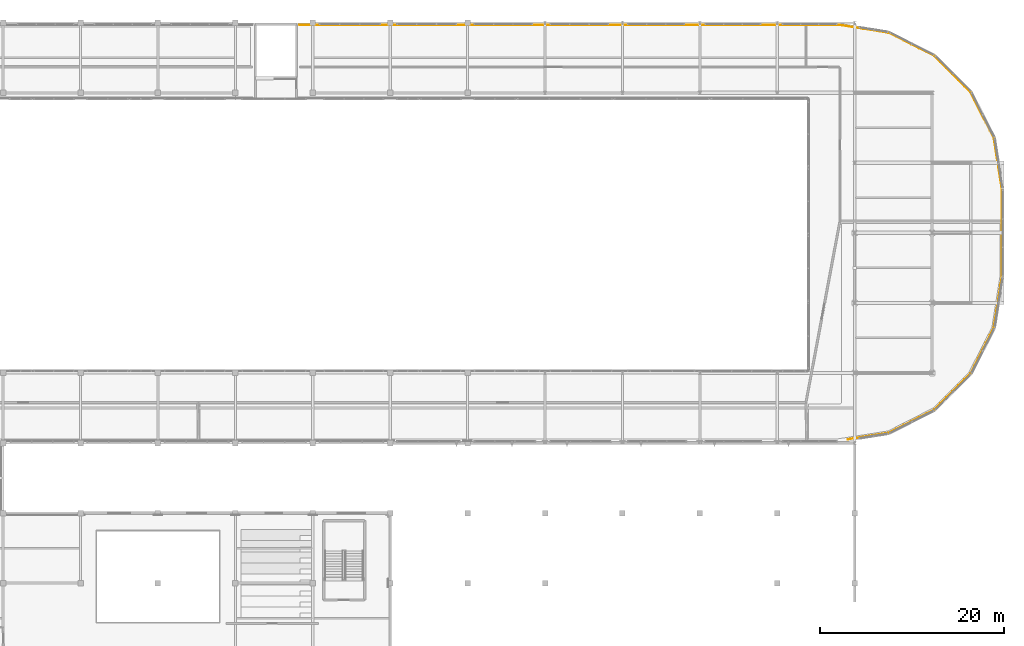
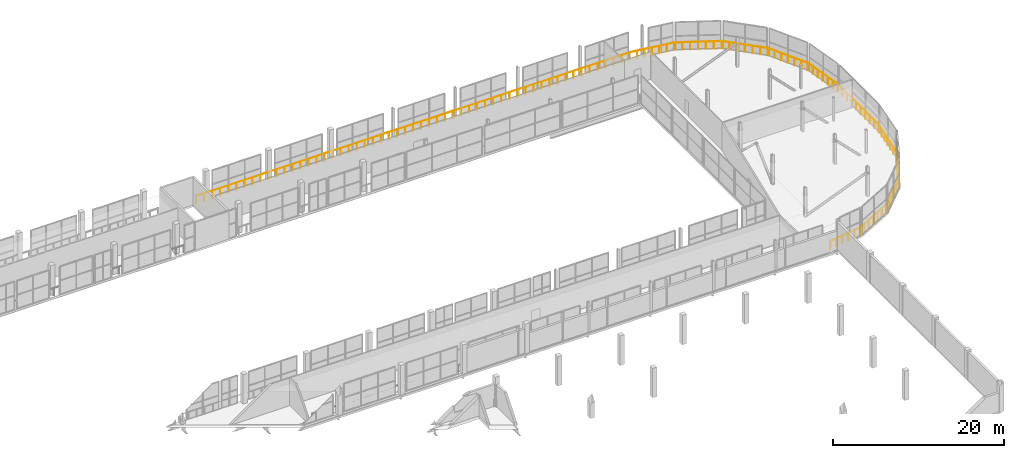
# One storey, part 150 of 151: 1 railing.
"""IFC4 building model written with IfcOpenShell, lengths in metres."""

from ifc_helpers import new_model, si_unit, direction, frame, origin, origin_2d, place, context, subcontext, project, spatial, circle, extrude, material, type_object, element, save


model = new_model("IFC4")

# Units and contexts
model_context = context("Model", 3, precision=1e-05, world=origin(), true_north=direction((0.0, 1.0)))
body_context = subcontext(model_context, "Body", "Model", "MODEL_VIEW")
ifc_project = project(units=[si_unit("LENGTHUNIT", "METRE"), si_unit("AREAUNIT", "SQUARE_METRE"), si_unit("VOLUMEUNIT", "CUBIC_METRE"), si_unit("PLANEANGLEUNIT", "RADIAN"), si_unit("MASSUNIT", "GRAM", prefix="KILO")], contexts=[model_context])

# Site, building, storey
site_placement = place(None, origin())
site = spatial("IfcSite", under=ifc_project, at=site_placement, CompositionType="ELEMENT")
building_placement = place(site_placement, origin())
building = spatial("IfcBuilding", under=site, at=building_placement, Name="Zuvorla Pavilion Media Centre", CompositionType="ELEMENT")
storey_placement = place(building_placement, frame((0.0, 0.0, 13.800048828125)))
storey = spatial("IfcBuildingStorey", under=building, at=storey_placement, Name="L03", CompositionType="ELEMENT", Elevation=13.800048828125)

# Railing
ifc_material = material(Name="Powder-coated steel balustrade guard", Category="steel")
railing_type = type_object("IfcRailingType", Name="RL-INT-GRD", PredefinedType="BALUSTRADE", material=ifc_material)
railing_placement = place(storey_placement, frame((98.9599609375, 89.3798828125, 0.0)))
element("IfcRailing", 1, at=railing_placement, inside=storey, type_object=railing_type, Name="L03 slab edge guard 86", PredefinedType="BALUSTRADE", context=body_context, shape_type="SweptSolid", body=[
    extrude(circle(Radius=0.02392578125, at=origin_2d()), frame((0.02880859375, 0.0, 1.09619140625), z_axis=(1.0, 0.0, 0.0), x_axis=(0.0, 1.0, 0.0)), (0.0, 0.0, 1.0), 58.365234375),
    extrude(circle(Radius=0.02392578125, at=origin_2d()), frame((58.451416015625, -0.00439453125, 1.09619140625), z_axis=(0.987688702887, -0.156432177602, 0.0), x_axis=(0.156432177602, 0.987688702887, 0.0)), (0.0, 0.0, 1.0), 5.521728515625),
    extrude(circle(Radius=0.02392578125, at=origin_2d()), frame((63.959228515625, -0.885986328125, 1.09619140625), z_axis=(0.891012695814, -0.453978387039, 0.0), x_axis=(0.453978387039, 0.891012695814, 0.0)), (0.0, 0.0, 1.0), 5.50390625),
    extrude(circle(Radius=0.02392578125, at=origin_2d()), frame((68.90966796875, -3.418212890625, 1.09619140625), z_axis=(0.707106781187, -0.707106781187, 0.0), x_axis=(0.707106781187, 0.707106781187, 0.0)), (0.0, 0.0, 1.0), 5.504150390625),
    extrude(circle(Radius=0.02392578125, at=origin_2d()), frame((72.835205078125, -7.356201171875, 1.09619140625), z_axis=(0.453995479409, -0.891003986902, 0.0), x_axis=(0.891003986902, 0.453995479409, 0.0)), (0.0, 0.0, 1.0), 5.50439453125),
    extrude(circle(Radius=0.02392578125, at=origin_2d()), frame((75.3515625, -12.31494140625, 1.09619140625), z_axis=(0.156432177602, -0.987688702887, 0.0), x_axis=(0.987688702887, 0.156432177602, 0.0)), (0.0, 0.0, 1.0), 5.521728515625),
    extrude(circle(Radius=0.02392578125, at=origin_2d()), frame((76.219970703125, -17.825927734375, 1.09619140625), z_axis=(0.0, -1.0, 0.0), x_axis=(1.0, 0.0, 0.0)), (0.0, 0.0, 1.0), 9.5078125),
    extrude(circle(Radius=0.02392578125, at=origin_2d()), frame((76.215576171875, -27.39111328125, 1.09619140625), z_axis=(-0.156432177602, -0.987688702887, 0.0), x_axis=(0.987688702887, -0.156432177602, 0.0)), (0.0, 0.0, 1.0), 5.521728515625),
    extrude(circle(Radius=0.02392578125, at=origin_2d()), frame((75.333984375, -32.89892578125, 1.09619140625), z_axis=(-0.453995479409, -0.891003986902, 0.0), x_axis=(0.891003986902, -0.453995479409, 0.0)), (0.0, 0.0, 1.0), 5.50439453125),
    extrude(circle(Radius=0.02392578125, at=origin_2d()), frame((72.801513671875, -37.849609375, 1.09619140625), z_axis=(-0.707106781187, -0.707106781187, 0.0), x_axis=(0.707106781187, -0.707106781187, 0.0)), (0.0, 0.0, 1.0), 5.504150390625),
    extrude(circle(Radius=0.02392578125, at=origin_2d()), frame((68.863525390625, -41.775146484375, 1.09619140625), z_axis=(-0.890994939299, -0.454013235647, 0.0), x_axis=(0.454013235647, -0.890994939299, 0.0)), (0.0, 0.0, 1.0), 5.504150390625),
    extrude(circle(Radius=0.02392578125, at=origin_2d()), frame((63.905029296875, -44.29150390625, 1.09619140625), z_axis=(-0.987692999379, -0.156405047803, 0.0), x_axis=(0.156405047803, -0.987692999379, 0.0)), (0.0, 0.0, 1.0), 4.447265625),
    extrude(circle(Radius=0.02099609375, at=origin_2d()), origin(), (0.0, 0.0, 1.0), 1.070068359375),
    extrude(circle(Radius=0.02099609375, at=origin_2d()), frame((1.081787109375, 0.0, 0.0)), (0.0, 0.0, 1.0), 1.070068359375),
    extrude(circle(Radius=0.02099609375, at=origin_2d()), frame((2.163818359375, 0.0, 0.0)), (0.0, 0.0, 1.0), 1.070068359375),
    extrude(circle(Radius=0.02099609375, at=origin_2d()), frame((3.24560546875, 0.0, 0.0)), (0.0, 0.0, 1.0), 1.070068359375),
    extrude(circle(Radius=0.02099609375, at=origin_2d()), frame((4.32763671875, 0.0, 0.0)), (0.0, 0.0, 1.0), 1.070068359375),
    extrude(circle(Radius=0.02099609375, at=origin_2d()), frame((5.409423828125, 0.0, 0.0)), (0.0, 0.0, 1.0), 1.070068359375),
    extrude(circle(Radius=0.02099609375, at=origin_2d()), frame((6.491455078125, 0.0, 0.0)), (0.0, 0.0, 1.0), 1.070068359375),
    extrude(circle(Radius=0.02099609375, at=origin_2d()), frame((7.5732421875, 0.0, 0.0)), (0.0, 0.0, 1.0), 1.070068359375),
    extrude(circle(Radius=0.02099609375, at=origin_2d()), frame((8.6552734375, 0.0, 0.0)), (0.0, 0.0, 1.0), 1.070068359375),
    extrude(circle(Radius=0.02099609375, at=origin_2d()), frame((9.737060546875, 0.0, 0.0)), (0.0, 0.0, 1.0), 1.070068359375),
    extrude(circle(Radius=0.02099609375, at=origin_2d()), frame((10.819091796875, 0.0, 0.0)), (0.0, 0.0, 1.0), 1.070068359375),
    extrude(circle(Radius=0.02099609375, at=origin_2d()), frame((11.90087890625, 0.0, 0.0)), (0.0, 0.0, 1.0), 1.070068359375),
    extrude(circle(Radius=0.02099609375, at=origin_2d()), frame((12.98291015625, 0.0, 0.0)), (0.0, 0.0, 1.0), 1.070068359375),
    extrude(circle(Radius=0.02099609375, at=origin_2d()), frame((14.064697265625, 0.0, 0.0)), (0.0, 0.0, 1.0), 1.070068359375),
    extrude(circle(Radius=0.02099609375, at=origin_2d()), frame((15.146728515625, 0.0, 0.0)), (0.0, 0.0, 1.0), 1.070068359375),
    extrude(circle(Radius=0.02099609375, at=origin_2d()), frame((16.228515625, 0.0, 0.0)), (0.0, 0.0, 1.0), 1.070068359375),
    extrude(circle(Radius=0.02099609375, at=origin_2d()), frame((17.310546875, 0.0, 0.0)), (0.0, 0.0, 1.0), 1.070068359375),
    extrude(circle(Radius=0.02099609375, at=origin_2d()), frame((18.392333984375, 0.0, 0.0)), (0.0, 0.0, 1.0), 1.070068359375),
    extrude(circle(Radius=0.02099609375, at=origin_2d()), frame((19.474365234375, 0.0, 0.0)), (0.0, 0.0, 1.0), 1.070068359375),
    extrude(circle(Radius=0.02099609375, at=origin_2d()), frame((20.55615234375, 0.0, 0.0)), (0.0, 0.0, 1.0), 1.070068359375),
    extrude(circle(Radius=0.02099609375, at=origin_2d()), frame((21.63818359375, 0.0, 0.0)), (0.0, 0.0, 1.0), 1.070068359375),
    extrude(circle(Radius=0.02099609375, at=origin_2d()), frame((22.719970703125, 0.0, 0.0)), (0.0, 0.0, 1.0), 1.070068359375),
    extrude(circle(Radius=0.02099609375, at=origin_2d()), frame((23.802001953125, 0.0, 0.0)), (0.0, 0.0, 1.0), 1.070068359375),
    extrude(circle(Radius=0.02099609375, at=origin_2d()), frame((24.8837890625, 0.0, 0.0)), (0.0, 0.0, 1.0), 1.070068359375),
    extrude(circle(Radius=0.02099609375, at=origin_2d()), frame((25.9658203125, 0.0, 0.0)), (0.0, 0.0, 1.0), 1.070068359375),
    extrude(circle(Radius=0.02099609375, at=origin_2d()), frame((27.047607421875, 0.0, 0.0)), (0.0, 0.0, 1.0), 1.070068359375),
    extrude(circle(Radius=0.02099609375, at=origin_2d()), frame((28.129638671875, 0.0, 0.0)), (0.0, 0.0, 1.0), 1.070068359375),
    extrude(circle(Radius=0.02099609375, at=origin_2d()), frame((29.21142578125, 0.0, 0.0)), (0.0, 0.0, 1.0), 1.070068359375),
    extrude(circle(Radius=0.02099609375, at=origin_2d()), frame((30.293212890625, 0.0, 0.0)), (0.0, 0.0, 1.0), 1.070068359375),
    extrude(circle(Radius=0.02099609375, at=origin_2d()), frame((31.375244140625, 0.0, 0.0)), (0.0, 0.0, 1.0), 1.070068359375),
    extrude(circle(Radius=0.02099609375, at=origin_2d()), frame((32.45703125, 0.0, 0.0)), (0.0, 0.0, 1.0), 1.070068359375),
    extrude(circle(Radius=0.02099609375, at=origin_2d()), frame((33.5390625, 0.0, 0.0)), (0.0, 0.0, 1.0), 1.070068359375),
    extrude(circle(Radius=0.02099609375, at=origin_2d()), frame((34.620849609375, 0.0, 0.0)), (0.0, 0.0, 1.0), 1.070068359375),
    extrude(circle(Radius=0.02099609375, at=origin_2d()), frame((35.702880859375, 0.0, 0.0)), (0.0, 0.0, 1.0), 1.070068359375),
    extrude(circle(Radius=0.02099609375, at=origin_2d()), frame((36.78466796875, 0.0, 0.0)), (0.0, 0.0, 1.0), 1.070068359375),
    extrude(circle(Radius=0.02099609375, at=origin_2d()), frame((37.86669921875, 0.0, 0.0)), (0.0, 0.0, 1.0), 1.070068359375),
    extrude(circle(Radius=0.02099609375, at=origin_2d()), frame((38.948486328125, 0.0, 0.0)), (0.0, 0.0, 1.0), 1.070068359375),
    extrude(circle(Radius=0.02099609375, at=origin_2d()), frame((40.030517578125, 0.0, 0.0)), (0.0, 0.0, 1.0), 1.070068359375),
    extrude(circle(Radius=0.02099609375, at=origin_2d()), frame((41.1123046875, 0.0, 0.0)), (0.0, 0.0, 1.0), 1.070068359375),
    extrude(circle(Radius=0.02099609375, at=origin_2d()), frame((42.1943359375, 0.0, 0.0)), (0.0, 0.0, 1.0), 1.070068359375),
    extrude(circle(Radius=0.02099609375, at=origin_2d()), frame((43.276123046875, 0.0, 0.0)), (0.0, 0.0, 1.0), 1.070068359375),
    extrude(circle(Radius=0.02099609375, at=origin_2d()), frame((44.358154296875, 0.0, 0.0)), (0.0, 0.0, 1.0), 1.070068359375),
    extrude(circle(Radius=0.02099609375, at=origin_2d()), frame((45.43994140625, 0.0, 0.0)), (0.0, 0.0, 1.0), 1.070068359375),
    extrude(circle(Radius=0.02099609375, at=origin_2d()), frame((46.52197265625, 0.0, 0.0)), (0.0, 0.0, 1.0), 1.070068359375),
    extrude(circle(Radius=0.02099609375, at=origin_2d()), frame((47.603759765625, 0.0, 0.0)), (0.0, 0.0, 1.0), 1.070068359375),
    extrude(circle(Radius=0.02099609375, at=origin_2d()), frame((48.685791015625, 0.0, 0.0)), (0.0, 0.0, 1.0), 1.070068359375),
    extrude(circle(Radius=0.02099609375, at=origin_2d()), frame((49.767578125, 0.0, 0.0)), (0.0, 0.0, 1.0), 1.070068359375),
    extrude(circle(Radius=0.02099609375, at=origin_2d()), frame((50.849609375, 0.0, 0.0)), (0.0, 0.0, 1.0), 1.070068359375),
    extrude(circle(Radius=0.02099609375, at=origin_2d()), frame((51.931396484375, 0.0, 0.0)), (0.0, 0.0, 1.0), 1.070068359375),
    extrude(circle(Radius=0.02099609375, at=origin_2d()), frame((53.013427734375, 0.0, 0.0)), (0.0, 0.0, 1.0), 1.070068359375),
    extrude(circle(Radius=0.02099609375, at=origin_2d()), frame((54.09521484375, 0.0, 0.0)), (0.0, 0.0, 1.0), 1.070068359375),
    extrude(circle(Radius=0.02099609375, at=origin_2d()), frame((55.17724609375, 0.0, 0.0)), (0.0, 0.0, 1.0), 1.070068359375),
    extrude(circle(Radius=0.02099609375, at=origin_2d()), frame((56.259033203125, 0.0, 0.0)), (0.0, 0.0, 1.0), 1.070068359375),
    extrude(circle(Radius=0.02099609375, at=origin_2d()), frame((57.341064453125, 0.0, 0.0)), (0.0, 0.0, 1.0), 1.070068359375),
    extrude(circle(Radius=0.02099609375, at=origin_2d()), frame((58.4228515625, 0.0, 0.0)), (0.0, 0.0, 1.0), 1.070068359375),
    extrude(circle(Radius=0.02099609375, at=origin_2d()), frame((59.34130859375, -0.1455078125, 0.0)), (0.0, 0.0, 1.0), 1.070068359375),
    extrude(circle(Radius=0.02099609375, at=origin_2d()), frame((60.259765625, -0.291015625, 0.0)), (0.0, 0.0, 1.0), 1.070068359375),
    extrude(circle(Radius=0.02099609375, at=origin_2d()), frame((61.17822265625, -0.4365234375, 0.0)), (0.0, 0.0, 1.0), 1.070068359375),
    extrude(circle(Radius=0.02099609375, at=origin_2d()), frame((62.0966796875, -0.581787109375, 0.0)), (0.0, 0.0, 1.0), 1.070068359375),
    extrude(circle(Radius=0.02099609375, at=origin_2d()), frame((63.01513671875, -0.727294921875, 0.0)), (0.0, 0.0, 1.0), 1.070068359375),
    extrude(circle(Radius=0.02099609375, at=origin_2d()), frame((63.93359375, -0.872802734375, 0.0)), (0.0, 0.0, 1.0), 1.070068359375),
    extrude(circle(Radius=0.02099609375, at=origin_2d()), frame((64.759521484375, -1.293701171875, 0.0)), (0.0, 0.0, 1.0), 1.070068359375),
    extrude(circle(Radius=0.02099609375, at=origin_2d()), frame((65.58544921875, -1.71435546875, 0.0)), (0.0, 0.0, 1.0), 1.070068359375),
    extrude(circle(Radius=0.02099609375, at=origin_2d()), frame((66.411376953125, -2.13525390625, 0.0)), (0.0, 0.0, 1.0), 1.070068359375),
    extrude(circle(Radius=0.02099609375, at=origin_2d()), frame((67.2373046875, -2.55615234375, 0.0)), (0.0, 0.0, 1.0), 1.070068359375),
    extrude(circle(Radius=0.02099609375, at=origin_2d()), frame((68.063232421875, -2.976806640625, 0.0)), (0.0, 0.0, 1.0), 1.070068359375),
    extrude(circle(Radius=0.02099609375, at=origin_2d()), frame((68.88916015625, -3.397705078125, 0.0)), (0.0, 0.0, 1.0), 1.070068359375),
    extrude(circle(Radius=0.02099609375, at=origin_2d()), frame((69.544677734375, -4.05322265625, 0.0)), (0.0, 0.0, 1.0), 1.070068359375),
    extrude(circle(Radius=0.02099609375, at=origin_2d()), frame((70.2001953125, -4.708740234375, 0.0)), (0.0, 0.0, 1.0), 1.070068359375),
    extrude(circle(Radius=0.02099609375, at=origin_2d()), frame((70.85546875, -5.3642578125, 0.0)), (0.0, 0.0, 1.0), 1.070068359375),
    extrude(circle(Radius=0.02099609375, at=origin_2d()), frame((71.510986328125, -6.01953125, 0.0)), (0.0, 0.0, 1.0), 1.070068359375),
    extrude(circle(Radius=0.02099609375, at=origin_2d()), frame((72.16650390625, -6.675048828125, 0.0)), (0.0, 0.0, 1.0), 1.070068359375),
    extrude(circle(Radius=0.02099609375, at=origin_2d()), frame((72.822021484375, -7.33056640625, 0.0)), (0.0, 0.0, 1.0), 1.070068359375),
    extrude(circle(Radius=0.02099609375, at=origin_2d()), frame((73.242919921875, -8.156494140625, 0.0)), (0.0, 0.0, 1.0), 1.070068359375),
    extrude(circle(Radius=0.02099609375, at=origin_2d()), frame((73.663818359375, -8.982421875, 0.0)), (0.0, 0.0, 1.0), 1.070068359375),
    extrude(circle(Radius=0.02099609375, at=origin_2d()), frame((74.08447265625, -9.80859375, 0.0)), (0.0, 0.0, 1.0), 1.070068359375),
    extrude(circle(Radius=0.02099609375, at=origin_2d()), frame((74.50537109375, -10.634521484375, 0.0)), (0.0, 0.0, 1.0), 1.070068359375),
    extrude(circle(Radius=0.02099609375, at=origin_2d()), frame((74.92626953125, -11.46044921875, 0.0)), (0.0, 0.0, 1.0), 1.070068359375),
    extrude(circle(Radius=0.02099609375, at=origin_2d()), frame((75.34716796875, -12.286376953125, 0.0)), (0.0, 0.0, 1.0), 1.070068359375),
    extrude(circle(Radius=0.02099609375, at=origin_2d()), frame((75.49267578125, -13.204833984375, 0.0)), (0.0, 0.0, 1.0), 1.070068359375),
    extrude(circle(Radius=0.02099609375, at=origin_2d()), frame((75.63818359375, -14.123291015625, 0.0)), (0.0, 0.0, 1.0), 1.070068359375),
    extrude(circle(Radius=0.02099609375, at=origin_2d()), frame((75.78369140625, -15.041748046875, 0.0)), (0.0, 0.0, 1.0), 1.070068359375),
    extrude(circle(Radius=0.02099609375, at=origin_2d()), frame((75.928955078125, -15.960205078125, 0.0)), (0.0, 0.0, 1.0), 1.070068359375),
    extrude(circle(Radius=0.02099609375, at=origin_2d()), frame((76.074462890625, -16.878662109375, 0.0)), (0.0, 0.0, 1.0), 1.070068359375),
    extrude(circle(Radius=0.02099609375, at=origin_2d()), frame((76.219970703125, -17.797119140625, 0.0)), (0.0, 0.0, 1.0), 1.070068359375),
    extrude(circle(Radius=0.02099609375, at=origin_2d()), frame((76.219970703125, -18.85986328125, 0.0)), (0.0, 0.0, 1.0), 1.070068359375),
    extrude(circle(Radius=0.02099609375, at=origin_2d()), frame((76.219970703125, -19.9228515625, 0.0)), (0.0, 0.0, 1.0), 1.070068359375),
    extrude(circle(Radius=0.02099609375, at=origin_2d()), frame((76.219970703125, -20.985595703125, 0.0)), (0.0, 0.0, 1.0), 1.070068359375),
    extrude(circle(Radius=0.02099609375, at=origin_2d()), frame((76.219970703125, -22.04833984375, 0.0)), (0.0, 0.0, 1.0), 1.070068359375),
    extrude(circle(Radius=0.02099609375, at=origin_2d()), frame((76.219970703125, -23.111328125, 0.0)), (0.0, 0.0, 1.0), 1.070068359375),
    extrude(circle(Radius=0.02099609375, at=origin_2d()), frame((76.219970703125, -24.174072265625, 0.0)), (0.0, 0.0, 1.0), 1.070068359375),
    extrude(circle(Radius=0.02099609375, at=origin_2d()), frame((76.219970703125, -25.23681640625, 0.0)), (0.0, 0.0, 1.0), 1.070068359375),
    extrude(circle(Radius=0.02099609375, at=origin_2d()), frame((76.219970703125, -26.2998046875, 0.0)), (0.0, 0.0, 1.0), 1.070068359375),
    extrude(circle(Radius=0.02099609375, at=origin_2d()), frame((76.219970703125, -27.362548828125, 0.0)), (0.0, 0.0, 1.0), 1.070068359375),
    extrude(circle(Radius=0.02099609375, at=origin_2d()), frame((76.074462890625, -28.281005859375, 0.0)), (0.0, 0.0, 1.0), 1.070068359375),
    extrude(circle(Radius=0.02099609375, at=origin_2d()), frame((75.928955078125, -29.199462890625, 0.0)), (0.0, 0.0, 1.0), 1.070068359375),
    extrude(circle(Radius=0.02099609375, at=origin_2d()), frame((75.78369140625, -30.117919921875, 0.0)), (0.0, 0.0, 1.0), 1.070068359375),
    extrude(circle(Radius=0.02099609375, at=origin_2d()), frame((75.63818359375, -31.036376953125, 0.0)), (0.0, 0.0, 1.0), 1.070068359375),
    extrude(circle(Radius=0.02099609375, at=origin_2d()), frame((75.49267578125, -31.954833984375, 0.0)), (0.0, 0.0, 1.0), 1.070068359375),
    extrude(circle(Radius=0.02099609375, at=origin_2d()), frame((75.34716796875, -32.873291015625, 0.0)), (0.0, 0.0, 1.0), 1.070068359375),
    extrude(circle(Radius=0.02099609375, at=origin_2d()), frame((74.92626953125, -33.69921875, 0.0)), (0.0, 0.0, 1.0), 1.070068359375),
    extrude(circle(Radius=0.02099609375, at=origin_2d()), frame((74.50537109375, -34.525146484375, 0.0)), (0.0, 0.0, 1.0), 1.070068359375),
    extrude(circle(Radius=0.02099609375, at=origin_2d()), frame((74.08447265625, -35.35107421875, 0.0)), (0.0, 0.0, 1.0), 1.070068359375),
    extrude(circle(Radius=0.02099609375, at=origin_2d()), frame((73.663818359375, -36.17724609375, 0.0)), (0.0, 0.0, 1.0), 1.070068359375),
    extrude(circle(Radius=0.02099609375, at=origin_2d()), frame((73.242919921875, -37.003173828125, 0.0)), (0.0, 0.0, 1.0), 1.070068359375),
    extrude(circle(Radius=0.02099609375, at=origin_2d()), frame((72.822021484375, -37.8291015625, 0.0)), (0.0, 0.0, 1.0), 1.070068359375),
    extrude(circle(Radius=0.02099609375, at=origin_2d()), frame((72.16650390625, -38.484619140625, 0.0)), (0.0, 0.0, 1.0), 1.070068359375),
    extrude(circle(Radius=0.02099609375, at=origin_2d()), frame((71.510986328125, -39.14013671875, 0.0)), (0.0, 0.0, 1.0), 1.070068359375),
    extrude(circle(Radius=0.02099609375, at=origin_2d()), frame((70.85546875, -39.79541015625, 0.0)), (0.0, 0.0, 1.0), 1.070068359375),
    extrude(circle(Radius=0.02099609375, at=origin_2d()), frame((70.2001953125, -40.450927734375, 0.0)), (0.0, 0.0, 1.0), 1.070068359375),
    extrude(circle(Radius=0.02099609375, at=origin_2d()), frame((69.544677734375, -41.1064453125, 0.0)), (0.0, 0.0, 1.0), 1.070068359375),
    extrude(circle(Radius=0.02099609375, at=origin_2d()), frame((68.88916015625, -41.761962890625, 0.0)), (0.0, 0.0, 1.0), 1.070068359375),
    extrude(circle(Radius=0.02099609375, at=origin_2d()), frame((68.063232421875, -42.182861328125, 0.0)), (0.0, 0.0, 1.0), 1.070068359375),
    extrude(circle(Radius=0.02099609375, at=origin_2d()), frame((67.2373046875, -42.603759765625, 0.0)), (0.0, 0.0, 1.0), 1.070068359375),
    extrude(circle(Radius=0.02099609375, at=origin_2d()), frame((66.411376953125, -43.0244140625, 0.0)), (0.0, 0.0, 1.0), 1.070068359375),
    extrude(circle(Radius=0.02099609375, at=origin_2d()), frame((65.58544921875, -43.4453125, 0.0)), (0.0, 0.0, 1.0), 1.070068359375),
    extrude(circle(Radius=0.02099609375, at=origin_2d()), frame((64.759521484375, -43.8662109375, 0.0)), (0.0, 0.0, 1.0), 1.070068359375),
    extrude(circle(Radius=0.02099609375, at=origin_2d()), frame((63.93359375, -44.287109375, 0.0)), (0.0, 0.0, 1.0), 1.070068359375),
    extrude(circle(Radius=0.02099609375, at=origin_2d()), frame((63.043701171875, -44.427978515625, 0.0)), (0.0, 0.0, 1.0), 1.070068359375),
    extrude(circle(Radius=0.02099609375, at=origin_2d()), frame((62.15380859375, -44.56884765625, 0.0)), (0.0, 0.0, 1.0), 1.070068359375),
    extrude(circle(Radius=0.02099609375, at=origin_2d()), frame((61.263916015625, -44.7099609375, 0.0)), (0.0, 0.0, 1.0), 1.070068359375),
    extrude(circle(Radius=0.02099609375, at=origin_2d()), frame((60.3740234375, -44.850830078125, 0.0)), (0.0, 0.0, 1.0), 1.070068359375),
    extrude(circle(Radius=0.02099609375, at=origin_2d()), frame((59.484130859375, -44.99169921875, 0.0)), (0.0, 0.0, 1.0), 1.070068359375),
])

save(model, "model.ifc")
